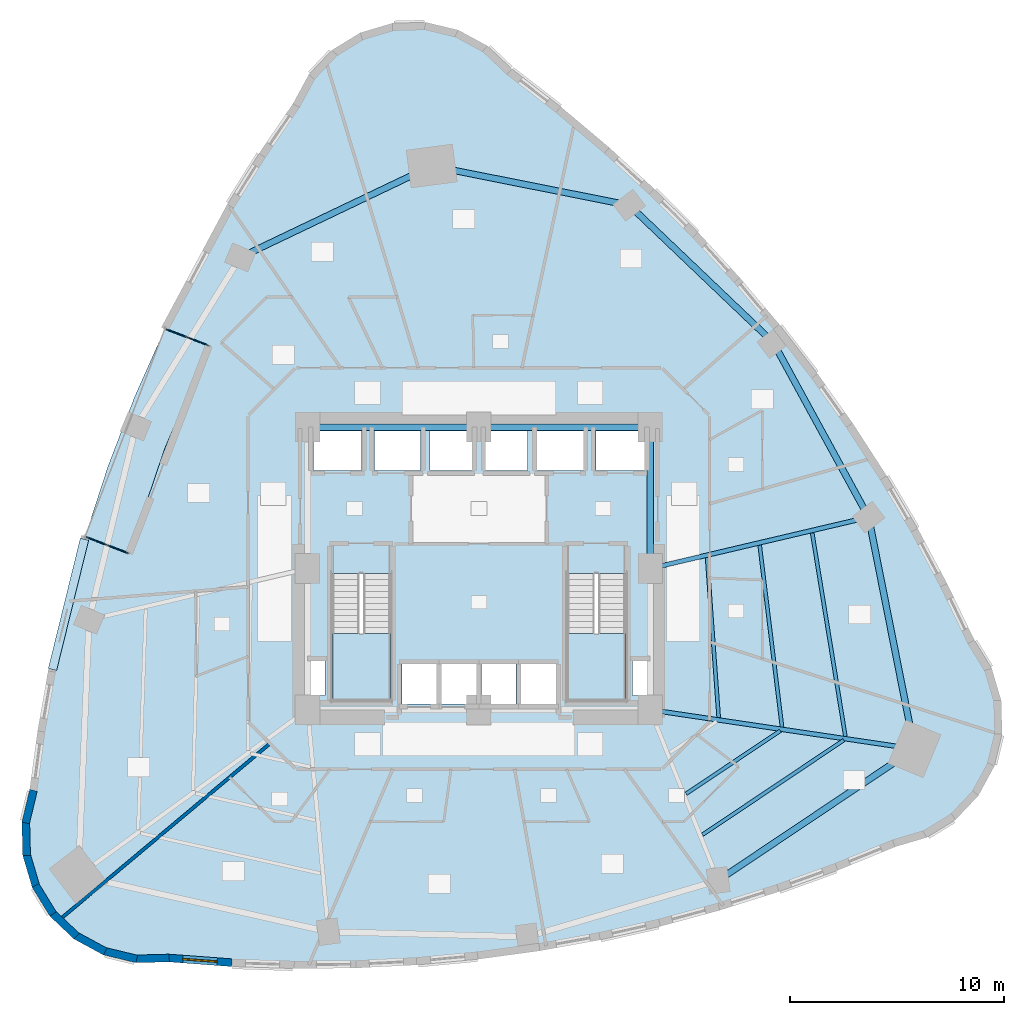
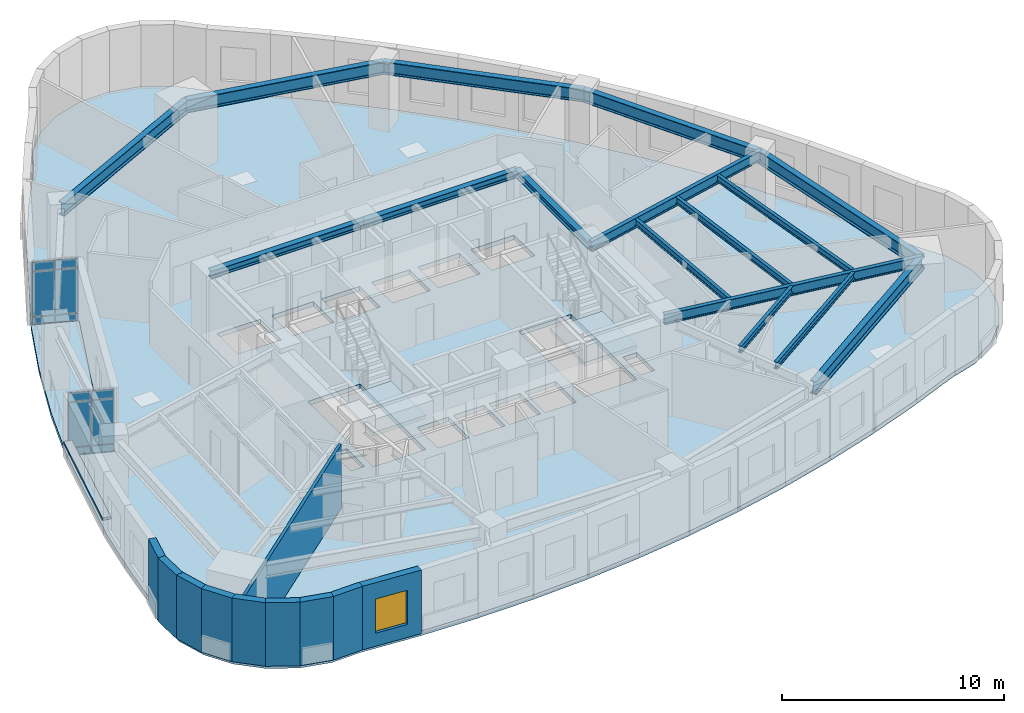
# One storey, part 4 of 12: 16 beams, 13 plates, 10 walls, 4 slabs, 1 window, 1 opening, 4 elements without a shape of their own.
"""IFC4 building model written with IfcOpenShell, lengths in metres."""

from ifc_helpers import new_model, si_unit, direction, frame, frame_2d, origin, origin_2d, place, context, subcontext, project, spatial, polyline, rectangle, i_section, outline, extrude, material, layer, layer_set, material_profile, profile_set, type_object, element, fill, aggregate, save


model = new_model("IFC4")

# Units and contexts
model_context = context("Model", 3, precision=1e-05, world=origin(), true_north=direction((0.0, 1.0)))
body_context = subcontext(model_context, "Body", "Model", "MODEL_VIEW")
ifc_project = project(units=[si_unit("LENGTHUNIT", "METRE"), si_unit("AREAUNIT", "SQUARE_METRE"), si_unit("VOLUMEUNIT", "CUBIC_METRE"), si_unit("PLANEANGLEUNIT", "RADIAN"), si_unit("MASSUNIT", "GRAM", prefix="KILO")], contexts=[model_context])

# Site, building, storey
site_placement = place(None, origin())
site = spatial("IfcSite", under=ifc_project, at=site_placement, CompositionType="ELEMENT")
building_placement = place(site_placement, origin())
building = spatial("IfcBuilding", under=site, at=building_placement, Name="Ndelora Gate Hotel", CompositionType="ELEMENT")
storey_placement = place(building_placement, frame((0.0, 0.0, 60.5)))
storey = spatial("IfcBuildingStorey", under=building, at=storey_placement, Name="L14", CompositionType="ELEMENT", Elevation=60.5)

# Beams
ifc_material_1 = material(Name="Steel S355", Category="steel")
ifc_material_profile_1 = material_profile(ifc_material_1, i_section(OverallWidth=0.300048828125, OverallDepth=0.39990234375, WebThickness=0.013427734375, FlangeThickness=0.02392578125, FilletRadius=0.027099609375, at=origin_2d()), Name="HEB 400")
ifc_profile_set_1 = profile_set([ifc_material_profile_1], Name="Steel S355")
beam_type_1 = type_object("IfcBeamType", Name="BM-CORE-400", PredefinedType="BEAM", material=ifc_profile_set_1)
for number, where, z_axis, x_axis, name in (
    (1, (-8.0, 6.60009765625, 3.300048828125), (1.0, 0.0, 0.0), (0.0, 1.0, 0.0), "L14 Core Tie Girder CC7-CC6"),
    (2, (0.0, 6.60009765625, 3.300048828125), (1.0, 0.0, 0.0), (0.0, 1.0, 0.0), "L14 Core Tie Girder CC6-CC5"),
):
    element("IfcBeam", number, at=place(storey_placement, frame(where, z_axis=z_axis, x_axis=x_axis)), inside=storey, type_object=beam_type_1, Name=name, PredefinedType="BEAM", context=body_context, shape_type="SweptSolid", body=[
        extrude(i_section(OverallWidth=0.300048828125, OverallDepth=0.39990234375, WebThickness=0.013427734375, FlangeThickness=0.02392578125, FilletRadius=0.027099609375, at=origin_2d()), origin(), (0.0, 0.0, 1.0), 8.0),
    ])
beam_1_placement = place(storey_placement, frame((8.0, 0.0, 3.300048828125), z_axis=(0.0, 1.0, 0.0), x_axis=(-1.0, 0.0, 0.0)))
element("IfcBeam", 3, at=beam_1_placement, inside=storey, type_object=beam_type_1, Name="L14 Core Tie Girder CC4-CC5", PredefinedType="BEAM", context=body_context, shape_type="SweptSolid", body=[
    extrude(i_section(OverallWidth=0.300048828125, OverallDepth=0.39990234375, WebThickness=0.013427734375, FlangeThickness=0.02392578125, FilletRadius=0.027099609375, at=origin_2d()), origin(), (0.0, 0.0, 1.0), 6.60009765625),
])
ifc_material_profile_2 = material_profile(ifc_material_1, i_section(OverallWidth=0.169921875, OverallDepth=0.360107421875, WebThickness=0.008056640625, FlangeThickness=0.0126953125, FilletRadius=0.01806640625, at=origin_2d()), Name="IPE 360")
ifc_profile_set_2 = profile_set([ifc_material_profile_2], Name="Steel S355")
beam_type_2 = type_object("IfcBeamType", Name="BM-JST-360", PredefinedType="JOIST", material=ifc_profile_set_2)
beam_2_placement = place(storey_placement, frame((9.685302734375, -10.520751953125, 3.320068359375), z_axis=(0.83093347578, 0.556371781121, 0.0), x_axis=(-0.556371781121, 0.83093347578, 0.0)))
element("IfcBeam", 4, at=beam_2_placement, inside=storey, type_object=beam_type_2, Name="L14 Secondary Composite Floor Joist MID-8", PredefinedType="JOIST", context=body_context, shape_type="SweptSolid", body=[
    extrude(i_section(OverallWidth=0.169921875, OverallDepth=0.360107421875, WebThickness=0.008056640625, FlangeThickness=0.0126953125, FilletRadius=0.01806640625, at=origin_2d()), origin(), (0.0, 0.0, 1.0), 5.2880859375),
])
beam_3_placement = place(storey_placement, frame((10.448486328125, -12.433349609375, 3.320068359375), z_axis=(0.830936507521, 0.556367253231, 0.0), x_axis=(-0.556367253231, 0.830936507521, 0.0)))
element("IfcBeam", 5, at=beam_3_placement, inside=storey, type_object=beam_type_2, Name="L14 Secondary Composite Floor Joist OUT-8", PredefinedType="JOIST", context=body_context, shape_type="SweptSolid", body=[
    extrude(i_section(OverallWidth=0.169921875, OverallDepth=0.360107421875, WebThickness=0.008056640625, FlangeThickness=0.0126953125, FilletRadius=0.01806640625, at=origin_2d()), origin(), (0.0, 0.0, 1.0), 7.936767578125),
])
beam_4_placement = place(storey_placement, frame((11.20263671875, -6.9609375, 3.320068359375), z_axis=(-0.072176031603, 0.997391909162, 0.0), x_axis=(-0.997391909162, -0.072176031603, 0.0)))
element("IfcBeam", 6, at=beam_4_placement, inside=storey, type_object=beam_type_2, Name="L14 Secondary Composite Floor Joist IN-9", PredefinedType="JOIST", context=body_context, shape_type="SweptSolid", body=[
    extrude(i_section(OverallWidth=0.169921875, OverallDepth=0.360107421875, WebThickness=0.008056640625, FlangeThickness=0.0126953125, FilletRadius=0.01806640625, at=origin_2d()), origin(), (0.0, 0.0, 1.0), 7.489013671875),
])
beam_5_placement = place(storey_placement, frame((14.160888671875, -7.400390625, 3.320068359375), z_axis=(-0.122030984704, 0.992526291225, 0.0), x_axis=(-0.992526291225, -0.122030984704, 0.0)))
element("IfcBeam", 7, at=beam_5_placement, inside=storey, type_object=beam_type_2, Name="L14 Secondary Composite Floor Joist MID-9", PredefinedType="JOIST", context=body_context, shape_type="SweptSolid", body=[
    extrude(i_section(OverallWidth=0.169921875, OverallDepth=0.360107421875, WebThickness=0.008056640625, FlangeThickness=0.0126953125, FilletRadius=0.01806640625, at=origin_2d()), origin(), (0.0, 0.0, 1.0), 8.548828125),
])
beam_6_placement = place(storey_placement, frame((17.12060546875, -7.840087890625, 3.320068359375), z_axis=(-0.160901992796, 0.986970388975, 0.0), x_axis=(-0.986970388975, -0.160901992796, 0.0)))
element("IfcBeam", 8, at=beam_6_placement, inside=storey, type_object=beam_type_2, Name="L14 Secondary Composite Floor Joist OUT-9", PredefinedType="JOIST", context=body_context, shape_type="SweptSolid", body=[
    extrude(i_section(OverallWidth=0.169921875, OverallDepth=0.360107421875, WebThickness=0.008056640625, FlangeThickness=0.0126953125, FilletRadius=0.01806640625, at=origin_2d()), origin(), (0.0, 0.0, 1.0), 9.6259765625),
])
ifc_material_profile_3 = material_profile(ifc_material_1, i_section(OverallWidth=0.2099609375, OverallDepth=0.550048828125, WebThickness=0.010986328125, FlangeThickness=0.01708984375, FilletRadius=0.02392578125, at=origin_2d()), Name="IPE 550")
ifc_profile_set_3 = profile_set([ifc_material_profile_3], Name="Steel S355")
beam_type_3 = type_object("IfcBeamType", Name="BM-RAD-550", PredefinedType="BEAM", material=ifc_profile_set_3)
beam_7_placement = place(storey_placement, frame((8.0, -6.60009765625, 3.22509765625), z_axis=(0.989209761041, -0.146506138649, 0.0), x_axis=(0.146506138649, 0.989209761041, 0.0)))
element("IfcBeam", 9, at=beam_7_placement, inside=storey, type_object=beam_type_3, Name="L14 Radial Floor Girder 9", PredefinedType="BEAM", context=body_context, shape_type="SweptSolid", body=[
    extrude(i_section(OverallWidth=0.2099609375, OverallDepth=0.550048828125, WebThickness=0.010986328125, FlangeThickness=0.01708984375, FilletRadius=0.02392578125, at=origin_2d()), origin(), (0.0, 0.0, 1.0), 12.48486328125),
])
beam_8_placement = place(storey_placement, frame((8.0, 0.0, 3.22509765625), z_axis=(0.973517848051, 0.22861102232, 0.0), x_axis=(-0.22861102232, 0.973517848051, 0.0)))
element("IfcBeam", 10, at=beam_8_placement, inside=storey, type_object=beam_type_3, Name="L14 Radial Floor Girder 10", PredefinedType="BEAM", context=body_context, shape_type="SweptSolid", body=[
    extrude(i_section(OverallWidth=0.2099609375, OverallDepth=0.550048828125, WebThickness=0.010986328125, FlangeThickness=0.01708984375, FilletRadius=0.02392578125, at=origin_2d()), origin(), (0.0, 0.0, 1.0), 10.48486328125),
])
ifc_material_profile_4 = material_profile(ifc_material_1, i_section(OverallWidth=0.300048828125, OverallDepth=0.699951171875, WebThickness=0.01708984375, FlangeThickness=0.031982421875, FilletRadius=0.027099609375, at=origin_2d()), Name="HEB 700")
ifc_profile_set_4 = profile_set([ifc_material_profile_4], Name="Steel S355")
beam_type_4 = type_object("IfcBeamType", Name="BM-RING-700", PredefinedType="SPANDREL", material=ifc_profile_set_4)
beam_9_placement = place(storey_placement, frame((-2.199951171875, 18.800048828125, 3.14990234375), z_axis=(-0.902476034566, -0.43074006899, 0.0), x_axis=(0.43074006899, -0.902476034566, 0.0)))
element("IfcBeam", 11, at=beam_9_placement, inside=storey, type_object=beam_type_4, Name="L14 Perimeter Spandrel Girder 1", PredefinedType="SPANDREL", context=body_context, shape_type="SweptSolid", body=[
    extrude(i_section(OverallWidth=0.300048828125, OverallDepth=0.699951171875, WebThickness=0.01708984375, FlangeThickness=0.031982421875, FilletRadius=0.027099609375, at=origin_2d()), origin(), (0.0, 0.0, 1.0), 9.91552734375),
])
beam_10_placement = place(storey_placement, frame((11.179443359375, -14.5693359375, 3.14990234375), z_axis=(0.830945983886, 0.556353099985, 0.0), x_axis=(-0.556353099985, 0.830945983886, 0.0)))
element("IfcBeam", 12, at=beam_10_placement, inside=storey, type_object=beam_type_4, Name="L14 Perimeter Spandrel Girder 8", PredefinedType="SPANDREL", context=body_context, shape_type="SweptSolid", body=[
    extrude(i_section(OverallWidth=0.300048828125, OverallDepth=0.699951171875, WebThickness=0.01708984375, FlangeThickness=0.031982421875, FilletRadius=0.027099609375, at=origin_2d()), origin(), (0.0, 0.0, 1.0), 11.036376953125),
])
beam_11_placement = place(storey_placement, frame((20.35009765625, -8.42919921875, 3.14990234375), z_axis=(-0.194163071691, 0.980969266385, 0.0), x_axis=(-0.980969266385, -0.194163071691, 0.0)))
element("IfcBeam", 13, at=beam_11_placement, inside=storey, type_object=beam_type_4, Name="L14 Perimeter Spandrel Girder 9", PredefinedType="SPANDREL", context=body_context, shape_type="SweptSolid", body=[
    extrude(i_section(OverallWidth=0.300048828125, OverallDepth=0.699951171875, WebThickness=0.01708984375, FlangeThickness=0.031982421875, FilletRadius=0.027099609375, at=origin_2d()), origin(), (0.0, 0.0, 1.0), 11.0361328125),
])
for number, where, z_axis, x_axis, name in (
    (14, (18.207275390625, 2.39697265625, 3.14990234375), (-0.479203651005, 0.87770374322, 0.0), (-0.87770374322, -0.479203651005, 0.0), "L14 Perimeter Spandrel Girder 10"),
    (15, (13.75390625, 10.5537109375, 3.14990234375), (-0.723784227769, 0.690026370244, 0.0), (-0.690026370244, -0.723784227769, 0.0), "L14 Perimeter Spandrel Girder 11"),
):
    element("IfcBeam", number, at=place(storey_placement, frame(where, z_axis=z_axis, x_axis=x_axis)), inside=storey, type_object=beam_type_4, Name=name, PredefinedType="SPANDREL", context=body_context, shape_type="SweptSolid", body=[
        extrude(i_section(OverallWidth=0.300048828125, OverallDepth=0.699951171875, WebThickness=0.01708984375, FlangeThickness=0.031982421875, FilletRadius=0.027099609375, at=origin_2d()), origin(), (0.0, 0.0, 1.0), 9.293212890625),
    ])
beam_12_placement = place(storey_placement, frame((7.027587890625, 16.96630859375, 3.14990234375), z_axis=(-0.980820478164, 0.194913287424, 0.0), x_axis=(-0.194913287424, -0.980820478164, 0.0)))
element("IfcBeam", 16, at=beam_12_placement, inside=storey, type_object=beam_type_4, Name="L14 Perimeter Spandrel Girder 12", PredefinedType="SPANDREL", context=body_context, shape_type="SweptSolid", body=[
    extrude(i_section(OverallWidth=0.300048828125, OverallDepth=0.699951171875, WebThickness=0.01708984375, FlangeThickness=0.031982421875, FilletRadius=0.027099609375, at=origin_2d()), origin(), (0.0, 0.0, 1.0), 9.407958984375),
])

# Curtain wall, plates
ifc_material_2 = material(Name="Bronze Anodised Unitised Aluminium and Low-E Glass", Category="aluminium")
ifc_layer_1 = layer(ifc_material_2, 0.199951171875)
ifc_layer_set_1 = layer_set([ifc_layer_1], Name="Bronze Anodised Unitised Aluminium and Low-E Glass")
curtain_wall_type = type_object("IfcCurtainWallType", Name="CW-SYS-3", PredefinedType="NOTDEFINED", material=ifc_layer_set_1)
curtain_wall_1_placement = place(storey_placement, origin())
curtain_wall_1 = element("IfcCurtainWall", 17, at=curtain_wall_1_placement, inside=storey, type_object=curtain_wall_type, Name="L14 Sky-Garden Loggia Side Curtain Wall CW3-1", PredefinedType="NOTDEFINED")
ifc_material_3 = material(Name="Solar-Control Low-E Insulated Glazing", Category="glass")
ifc_layer_2 = layer(ifc_material_3, 0.048095703125)
ifc_layer_set_2 = layer_set([ifc_layer_2], Name="Solar-Control Low-E Insulated Glazing")
plate_type_1 = type_object("IfcPlateType", Name="PL-CW-GLZ36", PredefinedType="CURTAIN_PANEL", material=ifc_layer_set_2)
plate_1_placement = place(storey_placement, frame((-13.13720703125, 10.613037109375, 0.05908203125), z_axis=(0.0, 0.0, 1.0), x_axis=(-0.93358321574, 0.358360683234, 0.0)))
plate_1 = element("IfcPlate", 18, at=plate_1_placement, type_object=plate_type_1, Name="CW3 panel 1.1", PredefinedType="CURTAIN_PANEL", context=body_context, shape_type="SweptSolid", body=[
    extrude(rectangle(XDim=1.014404296875, YDim=0.048095703125, at=origin_2d()), origin(), (0.0, 0.0, 1.0), 0.364501953125),
])
plate_2_placement = place(storey_placement, frame((-13.13720703125, 10.613037109375, 0.4765625), z_axis=(0.0, 0.0, 1.0), x_axis=(-0.93358321574, 0.358360683234, 0.0)))
plate_2 = element("IfcPlate", 19, at=plate_2_placement, type_object=plate_type_1, Name="CW3 panel 1.2", PredefinedType="CURTAIN_PANEL", context=body_context, shape_type="SweptSolid", body=[
    extrude(rectangle(XDim=1.014404296875, YDim=0.048095703125, at=origin_2d()), origin(), (0.0, 0.0, 1.0), 2.447021484375),
])
plate_3_placement = place(storey_placement, frame((-13.13720703125, 10.613037109375, 2.9765625), z_axis=(0.0, 0.0, 1.0), x_axis=(-0.93358321574, 0.358360683234, 0.0)))
plate_3 = element("IfcPlate", 20, at=plate_3_placement, type_object=plate_type_1, Name="CW3 panel 1.3", PredefinedType="CURTAIN_PANEL", context=body_context, shape_type="SweptSolid", body=[
    extrude(rectangle(XDim=1.014404296875, YDim=0.048095703125, at=origin_2d()), origin(), (0.0, 0.0, 1.0), 0.464599609375),
])
plate_4_placement = place(storey_placement, frame((-14.1337890625, 10.995361328125, 0.05908203125), z_axis=(0.0, 0.0, 1.0), x_axis=(-0.93358321574, 0.358360683234, 0.0)))
plate_4 = element("IfcPlate", 21, at=plate_4_placement, type_object=plate_type_1, Name="CW3 panel 2.1", PredefinedType="CURTAIN_PANEL", context=body_context, shape_type="SweptSolid", body=[
    extrude(rectangle(XDim=1.014404296875, YDim=0.048095703125, at=origin_2d()), origin(), (0.0, 0.0, 1.0), 0.364501953125),
])
plate_5_placement = place(storey_placement, frame((-14.1337890625, 10.995361328125, 0.4765625), z_axis=(0.0, 0.0, 1.0), x_axis=(-0.93358321574, 0.358360683234, 0.0)))
plate_5 = element("IfcPlate", 22, at=plate_5_placement, type_object=plate_type_1, Name="CW3 panel 2.2", PredefinedType="CURTAIN_PANEL", context=body_context, shape_type="SweptSolid", body=[
    extrude(rectangle(XDim=1.014404296875, YDim=0.048095703125, at=origin_2d()), origin(), (0.0, 0.0, 1.0), 2.447021484375),
])
plate_6_placement = place(storey_placement, frame((-14.1337890625, 10.995361328125, 2.9765625), z_axis=(0.0, 0.0, 1.0), x_axis=(-0.93358321574, 0.358360683234, 0.0)))
plate_6 = element("IfcPlate", 23, at=plate_6_placement, type_object=plate_type_1, Name="CW3 panel 2.3", PredefinedType="CURTAIN_PANEL", context=body_context, shape_type="SweptSolid", body=[
    extrude(rectangle(XDim=1.014404296875, YDim=0.048095703125, at=origin_2d()), origin(), (0.0, 0.0, 1.0), 0.464599609375),
])
aggregate(curtain_wall_1, [plate_1, plate_2, plate_3, plate_4, plate_5, plate_6])

curtain_wall_2_placement = place(storey_placement, origin())
curtain_wall_2 = element("IfcCurtainWall", 24, at=curtain_wall_2_placement, inside=storey, type_object=curtain_wall_type, Name="L14 Sky-Garden Loggia Side Curtain Wall CW3-2", PredefinedType="NOTDEFINED")
plate_7_placement = place(storey_placement, frame((-17.86083984375, 1.2861328125, 0.05908203125), z_axis=(0.0, 0.0, 1.0), x_axis=(0.933577378035, -0.35837589096, 0.0)))
plate_7 = element("IfcPlate", 25, at=plate_7_placement, type_object=plate_type_1, Name="CW3 panel 1.1", PredefinedType="CURTAIN_PANEL", context=body_context, shape_type="SweptSolid", body=[
    extrude(rectangle(XDim=1.014404296875, YDim=0.048095703125, at=origin_2d()), origin(), (0.0, 0.0, 1.0), 0.364501953125),
])
plate_8_placement = place(storey_placement, frame((-17.86083984375, 1.2861328125, 0.4765625), z_axis=(0.0, 0.0, 1.0), x_axis=(0.933577378035, -0.35837589096, 0.0)))
plate_8 = element("IfcPlate", 26, at=plate_8_placement, type_object=plate_type_1, Name="CW3 panel 1.2", PredefinedType="CURTAIN_PANEL", context=body_context, shape_type="SweptSolid", body=[
    extrude(rectangle(XDim=1.014404296875, YDim=0.048095703125, at=origin_2d()), origin(), (0.0, 0.0, 1.0), 2.447021484375),
])
plate_9_placement = place(storey_placement, frame((-17.86083984375, 1.2861328125, 2.9765625), z_axis=(0.0, 0.0, 1.0), x_axis=(0.933577378035, -0.35837589096, 0.0)))
plate_9 = element("IfcPlate", 27, at=plate_9_placement, type_object=plate_type_1, Name="CW3 panel 1.3", PredefinedType="CURTAIN_PANEL", context=body_context, shape_type="SweptSolid", body=[
    extrude(rectangle(XDim=1.014404296875, YDim=0.048095703125, at=origin_2d()), origin(), (0.0, 0.0, 1.0), 0.464599609375),
])
plate_10_placement = place(storey_placement, frame((-16.8642578125, 0.903564453125, 0.05908203125), z_axis=(0.0, 0.0, 1.0), x_axis=(0.933577378035, -0.35837589096, 0.0)))
plate_10 = element("IfcPlate", 28, at=plate_10_placement, type_object=plate_type_1, Name="CW3 panel 2.1", PredefinedType="CURTAIN_PANEL", context=body_context, shape_type="SweptSolid", body=[
    extrude(rectangle(XDim=1.014404296875, YDim=0.048095703125, at=origin_2d()), origin(), (0.0, 0.0, 1.0), 0.364501953125),
])
plate_11_placement = place(storey_placement, frame((-16.8642578125, 0.903564453125, 0.4765625), z_axis=(0.0, 0.0, 1.0), x_axis=(0.933577378035, -0.35837589096, 0.0)))
plate_11 = element("IfcPlate", 29, at=plate_11_placement, type_object=plate_type_1, Name="CW3 panel 2.2", PredefinedType="CURTAIN_PANEL", context=body_context, shape_type="SweptSolid", body=[
    extrude(rectangle(XDim=1.014404296875, YDim=0.048095703125, at=origin_2d()), origin(), (0.0, 0.0, 1.0), 2.447021484375),
])
plate_12_placement = place(storey_placement, frame((-16.8642578125, 0.903564453125, 2.9765625), z_axis=(0.0, 0.0, 1.0), x_axis=(0.933577378035, -0.35837589096, 0.0)))
plate_12 = element("IfcPlate", 30, at=plate_12_placement, type_object=plate_type_1, Name="CW3 panel 2.3", PredefinedType="CURTAIN_PANEL", context=body_context, shape_type="SweptSolid", body=[
    extrude(rectangle(XDim=1.014404296875, YDim=0.048095703125, at=origin_2d()), origin(), (0.0, 0.0, 1.0), 0.464599609375),
])
aggregate(curtain_wall_2, [plate_7, plate_8, plate_9, plate_10, plate_11, plate_12])

# Plate
ifc_material_4 = material(Name="Precast concrete C40/50", Category="concrete")
ifc_layer_3 = layer(ifc_material_4, 0.125)
ifc_layer_set_3 = layer_set([ifc_layer_3], Name="Precast concrete C40/50")
plate_type_2 = type_object("IfcPlateType", Name="PL-SILL-120", PredefinedType="USERDEFINED", material=ifc_layer_set_3)
plate_13_placement = place(storey_placement, frame((-19.16748046875, -1.674560546875, 0.78759765625), z_axis=(0.0, 0.0, 1.0), x_axis=(0.238702948851, 0.971092633177, 0.0)))
element("IfcPlate", 31, at=plate_13_placement, inside=storey, type_object=plate_type_2, Name="L14 Streamline Precast Ribbon Sill 16", ObjectType="RIBBON_SILL", PredefinedType="USERDEFINED", context=body_context, shape_type="SweptSolid", body=[
    extrude(rectangle(XDim=6.26611328125, YDim=0.39990234375, at=origin_2d()), origin(), (0.0, 0.0, 1.0), 0.125),
])

# Stair, slab
stair_type = type_object("IfcStairType", Name="STR-DOG-CORE", PredefinedType="HALF_TURN_STAIR", material=ifc_material_4)
stair_1_placement = place(storey_placement, origin())
stair_1 = element("IfcStair", 32, at=stair_1_placement, inside=storey, type_object=stair_type, Name="L14 Protected Core Exit Stair ST4", PredefinedType="HALF_TURN_STAIR")
ifc_layer_4 = layer(ifc_material_4, 0.219970703125)
ifc_layer_set_4 = layer_set([ifc_layer_4], Name="Precast concrete C40/50")
slab_type_1 = type_object("IfcSlabType", Name="SL-LAND-220", PredefinedType="LANDING", material=ifc_layer_set_4)
slab_1_placement = place(storey_placement, frame((0.0, 0.0, 1.675048828125)))
slab_1 = element("IfcSlab", 33, at=slab_1_placement, type_object=slab_type_1, Name="ST4 landing 1", PredefinedType="LANDING", context=body_context, shape_type="SweptSolid", body=[
    extrude(outline(polyline([(-6.85009765625, -3.030029296875), (-6.85009765625, -6.14990234375), (-4.1298828125, -6.14990234375), (-4.1298828125, -3.030029296875), (-6.85009765625, -3.030029296875)])), origin(), (0.0, 0.0, 1.0), 0.199951171875),
])
aggregate(stair_1, [slab_1])

stair_2_placement = place(storey_placement, origin())
stair_2 = element("IfcStair", 34, at=stair_2_placement, inside=storey, type_object=stair_type, Name="L14 Protected Core Exit Stair ST5", PredefinedType="HALF_TURN_STAIR")
slab_2_placement = place(storey_placement, frame((0.0, 0.0, 1.675048828125)))
slab_2 = element("IfcSlab", 35, at=slab_2_placement, type_object=slab_type_1, Name="ST5 landing 1", PredefinedType="LANDING", context=body_context, shape_type="SweptSolid", body=[
    extrude(outline(polyline([(4.1298828125, -3.030029296875), (4.1298828125, -6.14990234375), (6.85009765625, -6.14990234375), (6.85009765625, -3.030029296875), (4.1298828125, -3.030029296875)])), origin(), (0.0, 0.0, 1.0), 0.199951171875),
])
aggregate(stair_2, [slab_2])

# Slabs
ifc_layer_5 = layer(ifc_material_4, 0.239990234375)
ifc_layer_set_5 = layer_set([ifc_layer_5], Name="Precast concrete C40/50")
slab_type_2 = type_object("IfcSlabType", Name="SL-TER-240", PredefinedType="FLOOR", material=ifc_layer_set_5)
slab_3_placement = place(storey_placement, frame((0.0, 0.0, -0.239990234375)))
element("IfcSlab", 36, at=slab_3_placement, inside=storey, type_object=slab_type_2, Name="L14 Sky Garden Loggia Terrace Slab", PredefinedType="FLOOR", context=body_context, shape_type="SweptSolid", body=[
    extrude(outline(polyline([(-12.608642578125, 10.409912109375), (-14.66259765625, 11.198486328125), (-16.059326171875, 8.058349609375), (-17.326416015625, 4.757080078125), (-18.389404296875, 1.489013671875), (-16.335693359375, 0.70068359375), (-14.660888671875, 5.627685546875), (-12.608642578125, 10.409912109375)])), origin(), (0.0, 0.0, 1.0), 0.239990234375),
])
ifc_material_5 = material(Name="Concrete C40/50", Category="concrete")
ifc_layer_6 = layer(ifc_material_5, 0.25)
ifc_layer_set_6 = layer_set([ifc_layer_6], Name="Concrete C40/50")
slab_type_3 = type_object("IfcSlabType", Name="SL-TWR-250", PredefinedType="FLOOR", material=ifc_layer_set_6)
slab_4_placement = place(storey_placement, frame((0.0, 0.0, -0.25)))
element("IfcSlab", 37, at=slab_4_placement, inside=storey, type_object=slab_type_3, Name="L14 Structural Floor Slab", PredefinedType="FLOOR", context=body_context, shape_type="SweptSolid", body=[
    extrude(outline(polyline([(1.40869140625, 23.214111328125), (0.310546875, 24.25634765625), (-1.02001953125, 24.978759765625), (-2.492431640625, 25.332275390625), (-4.006103515625, 25.29248046875), (-5.457763671875, 24.862548828125), (-6.748779296875, 24.0712890625), (-7.791015625, 22.97314453125), (-8.513427734375, 21.642578125), (-10.101806640625, 19.312255859375), (-11.584716796875, 16.941650390625), (-14.66259765625, 11.198486328125), (-12.608642578125, 10.409912109375), (-14.660888671875, 5.627685546875), (-16.335693359375, 0.70068359375), (-18.389404296875, 1.489013671875), (-19.9453125, -4.83837890625), (-20.429443359375, -7.592529296875), (-20.808349609375, -10.386962890625), (-21.161865234375, -11.859130859375), (-21.122314453125, -13.372802734375), (-20.692138671875, -14.82470703125), (-19.90087890625, -16.115478515625), (-18.802734375, -17.15771484375), (-17.47216796875, -17.88037109375), (-16.0, -18.233642578125), (-14.486328125, -18.194091796875), (-11.557373046875, -18.410888671875), (-8.6474609375, -18.5068359375), (-5.756591796875, -18.48193359375), (-2.885009765625, -18.336669921875), (-0.03271484375, -18.0703125), (2.80078125, -17.68359375), (5.614990234375, -17.17578125), (8.41015625, -16.547607421875), (11.186279296875, -15.798583984375), (13.943115234375, -14.9287109375), (16.680908203125, -13.938232421875), (19.3994140625, -12.8271484375), (20.851318359375, -12.397216796875), (22.142333984375, -11.60595703125), (23.1845703125, -10.5078125), (23.906982421875, -9.177001953125), (24.260498046875, -7.704833984375), (24.220703125, -6.191162109375), (23.790771484375, -4.739501953125), (22.999755859375, -3.448486328125), (21.722900390625, -0.803466796875), (20.35107421875, 1.764404296875), (18.88427734375, 4.255615234375), (17.322509765625, 6.669677734375), (15.665771484375, 9.007080078125), (13.9140625, 11.267333984375), (12.067138671875, 13.45068359375), (10.12548828125, 15.55712890625), (8.0888671875, 17.5869140625), (5.95703125, 19.53955078125), (3.73046875, 21.415283203125), (1.40869140625, 23.214111328125)]), holes=[polyline([(-6.85009765625, -0.22998046875), (-6.85009765625, -6.14990234375), (-4.1298828125, -6.14990234375), (-4.1298828125, -0.22998046875), (-6.85009765625, -0.22998046875)]), polyline([(4.1298828125, -0.22998046875), (4.1298828125, -6.14990234375), (6.85009765625, -6.14990234375), (6.85009765625, -0.22998046875), (4.1298828125, -0.22998046875)]), polyline([(-7.72998046875, 4.570068359375), (-5.469970703125, 4.570068359375), (-5.469970703125, 6.429931640625), (-7.72998046875, 6.429931640625), (-7.72998046875, 4.570068359375)]), polyline([(5.469970703125, 4.570068359375), (7.72998046875, 4.570068359375), (7.72998046875, 6.429931640625), (5.469970703125, 6.429931640625), (5.469970703125, 4.570068359375)]), polyline([(-4.8798828125, 4.570068359375), (-2.719970703125, 4.570068359375), (-2.719970703125, 6.429931640625), (-4.8798828125, 6.429931640625), (-4.8798828125, 4.570068359375)]), polyline([(2.719970703125, 4.570068359375), (4.8798828125, 4.570068359375), (4.8798828125, 6.429931640625), (2.719970703125, 6.429931640625), (2.719970703125, 4.570068359375)]), polyline([(-3.60009765625, -6.330078125), (-1.97998046875, -6.330078125), (-1.97998046875, -4.469970703125), (-3.60009765625, -4.469970703125), (-3.60009765625, -6.330078125)]), polyline([(-1.739990234375, -6.330078125), (-0.1201171875, -6.330078125), (-0.1201171875, -4.469970703125), (-1.739990234375, -4.469970703125), (-1.739990234375, -6.330078125)]), polyline([(0.1201171875, -6.330078125), (1.739990234375, -6.330078125), (1.739990234375, -4.469970703125), (0.1201171875, -4.469970703125), (0.1201171875, -6.330078125)]), polyline([(1.97998046875, -6.330078125), (3.60009765625, -6.330078125), (3.60009765625, -4.469970703125), (1.97998046875, -4.469970703125), (1.97998046875, -6.330078125)]), polyline([(-2.280029296875, 4.570068359375), (-0.320068359375, 4.570068359375), (-0.320068359375, 6.429931640625), (-2.280029296875, 6.429931640625), (-2.280029296875, 4.570068359375)]), polyline([(0.320068359375, 4.570068359375), (2.280029296875, 4.570068359375), (2.280029296875, 6.429931640625), (0.320068359375, 6.429931640625), (0.320068359375, 4.570068359375)]), polyline([(-7.89990234375, -5.919921875), (-7.179931640625, -5.919921875), (-7.179931640625, -4.320068359375), (-7.89990234375, -4.320068359375), (-7.89990234375, -5.919921875)]), polyline([(7.179931640625, -5.919921875), (7.89990234375, -5.919921875), (7.89990234375, -4.320068359375), (7.179931640625, -4.320068359375), (7.179931640625, -5.919921875)])]), origin(), (0.0, 0.0, 1.0), 0.25),
])

# Walls
ifc_material_6 = material(Name="Clay Brick Masonry", Category="masonry")
ifc_layer_7 = layer(ifc_material_6, 0.360107421875)
ifc_layer_set_7 = layer_set([ifc_layer_7], Name="Clay Brick Masonry")
wall_type_1 = type_object("IfcWallType", Name="WL-BRICK-360", PredefinedType="SOLIDWALL", material=ifc_layer_set_7)
for number, where, z_axis, x_axis, name in (
    (38, (-21.16748046875, -11.883544921875, 0.0), (0.0, 0.0, 1.0), (0.233378856641, 0.972385884962, 0.0), "L14 Tower Brick Pier-and-Spandrel Wall TWR-19"),
    (39, (-21.12158203125, -13.397705078125, 0.0), (0.0, 0.0, 1.0), (-0.026224581645, 0.999656076517, 0.0), "L14 Tower Brick Pier-and-Spandrel Wall TWR-20"),
):
    element("IfcWall", number, at=place(storey_placement, frame(where, z_axis=z_axis, x_axis=x_axis)), inside=storey, type_object=wall_type_1, Name=name, PredefinedType="SOLIDWALL", context=body_context, shape_type="SweptSolid", body=[
        extrude(rectangle(XDim=1.56396484375, YDim=0.360107421875, at=frame_2d((0.781982421875, 0.0))), origin(), (0.0, 0.0, 1.0), 3.5),
    ])
wall_1_placement = place(storey_placement, frame((-20.68505859375, -14.8486328125, 0.0), z_axis=(0.0, 0.0, 1.0), x_axis=(-0.284067072714, 0.958804410816, 0.0)))
element("IfcWall", 40, at=wall_1_placement, inside=storey, type_object=wall_type_1, Name="L14 Tower Brick Pier-and-Spandrel Wall TWR-21", PredefinedType="SOLIDWALL", context=body_context, shape_type="SweptSolid", body=[
    extrude(rectangle(XDim=1.564208984375, YDim=0.360107421875, at=frame_2d((0.7822265625, 0.0))), origin(), (0.0, 0.0, 1.0), 3.5),
])
for number, where, z_axis, x_axis, name in (
    (41, (-19.887939453125, -16.13671875, 0.0), (0.0, 0.0, 1.0), (-0.522598660144, 0.852578817714, 0.0), "L14 Tower Brick Pier-and-Spandrel Wall TWR-22"),
    (42, (-18.78466796875, -17.175048828125, 0.0), (0.0, 0.0, 1.0), (-0.725361771345, 0.688367852729, 0.0), "L14 Tower Brick Pier-and-Spandrel Wall TWR-23"),
    (43, (-17.4501953125, -17.89208984375, 0.0), (0.0, 0.0, 1.0), (-0.878872132115, 0.477057413098, 0.0), "L14 Tower Brick Pier-and-Spandrel Wall TWR-24"),
    (44, (-15.9755859375, -18.239501953125, 0.0), (0.0, 0.0, 1.0), (-0.972385884962, 0.233378856641, 0.0), "L14 Tower Brick Pier-and-Spandrel Wall TWR-25"),
):
    element("IfcWall", number, at=place(storey_placement, frame(where, z_axis=z_axis, x_axis=x_axis)), inside=storey, type_object=wall_type_1, Name=name, PredefinedType="SOLIDWALL", context=body_context, shape_type="SweptSolid", body=[
        extrude(rectangle(XDim=1.56396484375, YDim=0.360107421875, at=frame_2d((0.781982421875, 0.0))), origin(), (0.0, 0.0, 1.0), 3.5),
    ])
wall_2_placement = place(storey_placement, frame((-14.461181640625, -18.193359375, 0.0), z_axis=(0.0, 0.0, 1.0), x_axis=(-0.999656183846, -0.026220490068, 0.0)))
element("IfcWall", 45, at=wall_2_placement, inside=storey, type_object=wall_type_1, Name="L14 Tower Brick Pier-and-Spandrel Wall TWR-26", PredefinedType="SOLIDWALL", context=body_context, shape_type="SweptSolid", body=[
    extrude(rectangle(XDim=1.564208984375, YDim=0.360107421875, at=frame_2d((0.7822265625, 0.0))), origin(), (0.0, 0.0, 1.0), 3.5),
])

# Wall, opening, window
wall_3_placement = place(storey_placement, frame((-11.532470703125, -18.41259765625, 0.0), z_axis=(0.0, 0.0, 1.0), x_axis=(-0.997278449025, 0.073727166709, 0.0)))
wall_3 = element("IfcWall", 46, at=wall_3_placement, inside=storey, type_object=wall_type_1, Name="L14 Tower Brick Pier-and-Spandrel Wall TWR-27", PredefinedType="SOLIDWALL", context=body_context, shape_type="SweptSolid", body=[
    extrude(rectangle(XDim=2.98681640625, YDim=0.360107421875, at=frame_2d((1.493408203125, 0.0))), origin(), (0.0, 0.0, 1.0), 3.5),
])
opening_placement = place(wall_3_placement, frame((0.693603515625, 0.0, 0.719970703125)))
opening = element("IfcOpeningElement", 47, at=opening_placement, cuts=wall_3, Name="Opening W01", PredefinedType="OPENING", context=body_context, shape_type="SweptSolid", body=[
    extrude(rectangle(XDim=1.60009765625, YDim=1.8798828125, at=frame_2d((0.800048828125, 0.93994140625))), frame((0.0, 0.18994140625, 0.0), z_axis=(0.0, -1.0, 0.0), x_axis=(1.0, 0.0, 0.0)), (0.0, 0.0, 1.0), 0.380126953125),
])
ifc_material_7 = material(Name="Insulated Low-E Double Glazing in Bronze Aluminium Frame", Category="aluminium")
window_type = type_object("IfcWindowType", Name="WN-DEEP-1600", PartitioningType="SINGLE_PANEL", PredefinedType="WINDOW", material=ifc_material_7)
window_placement = place(opening_placement, origin())
window = element("IfcWindow", 48, at=window_placement, inside=storey, type_object=window_type, Name="L14 Deep-Set Brick-Pier Window W01", OverallHeight=1.8798828125, OverallWidth=1.60009765625, PartitioningType="SINGLE_PANEL", PredefinedType="WINDOW", context=body_context, shape_type="SweptSolid", body=[
    extrude(rectangle(XDim=1.60009765625, YDim=1.8798828125, at=frame_2d((0.800048828125, 0.93994140625))), frame((0.0, 0.030029296875, 0.0), z_axis=(0.0, -1.0, 0.0), x_axis=(1.0, 0.0, 0.0)), (0.0, 0.0, 1.0), 0.06005859375),
])
fill(opening, window)

# Wall
ifc_material_8 = material(Name="Fire-Rated Gypsum Stud Partition", Category="gypsum")
ifc_layer_8 = layer(ifc_material_8, 0.14990234375)
ifc_layer_set_8 = layer_set([ifc_layer_8], Name="Fire-Rated Gypsum Stud Partition")
wall_type_2 = type_object("IfcWallType", Name="WL-PART-150", PredefinedType="PARTITIONING", material=ifc_layer_set_8)
wall_4_placement = place(storey_placement, frame((-9.75634765625, -8.173583984375, 0.0), z_axis=(0.0, 0.0, 1.0), x_axis=(-0.766555678026, -0.642177851134, 0.0)))
element("IfcWall", 49, at=wall_4_placement, inside=storey, type_object=wall_type_2, Name="L14 Interior Wall IW-5", PredefinedType="PARTITIONING", context=body_context, shape_type="SweptSolid", body=[
    extrude(rectangle(XDim=12.82763671875, YDim=0.14990234375, at=frame_2d((6.413818359375, 0.0))), origin(), (0.0, 0.0, 1.0), 3.5),
])

save(model, "model.ifc")
